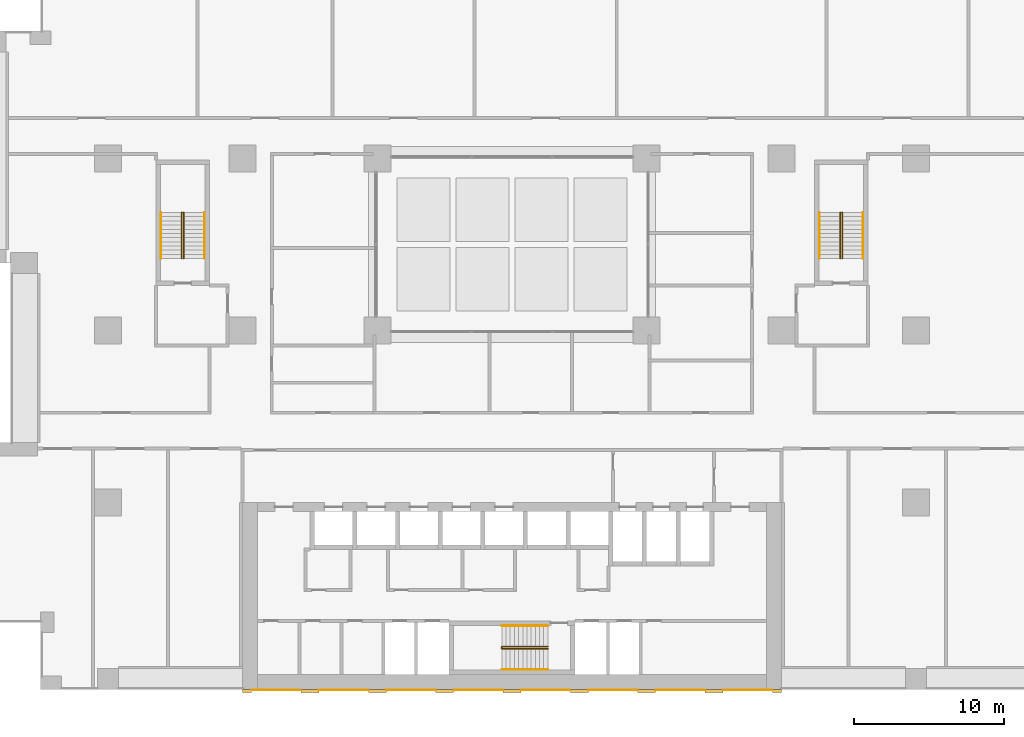
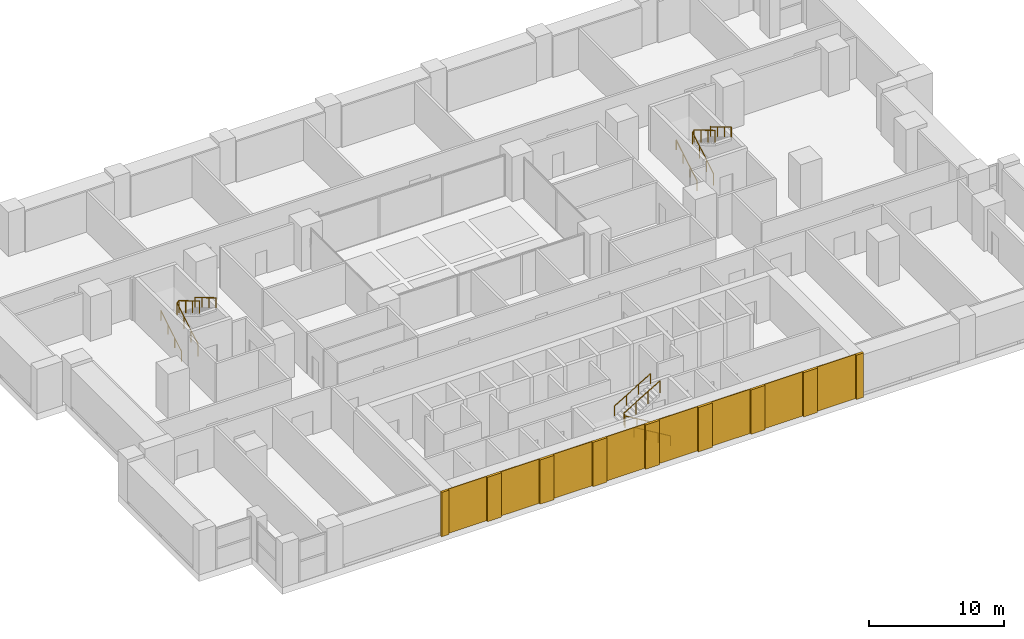
# One storey, part 24 of 24: 17 coverings, 9 railings.
"""IFC4 building model written with IfcOpenShell, lengths in metres."""

from ifc_helpers import new_model, si_unit, direction, frame, origin, origin_2d, place, context, subcontext, project, spatial, rectangle, circle, extrude, material, layer, layer_set, type_object, element, save


model = new_model("IFC4")

# Units and contexts
model_context = context("Model", 3, precision=1e-05, world=origin(), true_north=direction((0.0, 1.0)))
body_context = subcontext(model_context, "Body", "Model", "MODEL_VIEW")
ifc_project = project(units=[si_unit("LENGTHUNIT", "METRE"), si_unit("AREAUNIT", "SQUARE_METRE"), si_unit("VOLUMEUNIT", "CUBIC_METRE"), si_unit("PLANEANGLEUNIT", "RADIAN"), si_unit("MASSUNIT", "GRAM", prefix="KILO")], contexts=[model_context])

# Site, building, storey
site_placement = place(None, origin())
site = spatial("IfcSite", under=ifc_project, at=site_placement, CompositionType="ELEMENT")
building_placement = place(site_placement, origin())
building = spatial("IfcBuilding", under=site, at=building_placement, Name="Brigalow Station Residences", CompositionType="ELEMENT")
storey_placement = place(building_placement, frame((0.0, 0.0, 15.5)))
storey = spatial("IfcBuildingStorey", under=building, at=storey_placement, Name="L03", CompositionType="ELEMENT", Elevation=15.5)

# Coverings
ifc_material_1 = material(Name="Clay brick masonry", Category="masonry")
ifc_layer_1 = layer(ifc_material_1, 0.06005859375)
ifc_layer_set_1 = layer_set([ifc_layer_1], Name="BRICK PANEL FACING 60")
covering_type_1 = type_object("IfcCoveringType", Name="BRICK PANEL FACING 60", PredefinedType="CLADDING", material=ifc_layer_set_1)
for number, where, z_axis, x_axis, name in (
    (1, (20.25, -0.030029296875, 0.0), (0.0, 0.0, 1.0), (1.0, 0.0, 0.0), "L03/rear-facing/panel-1"),
    (2, (24.75, -0.030029296875, 0.0), (0.0, 0.0, 1.0), (1.0, 0.0, 0.0), "L03/rear-facing/panel-2"),
    (3, (29.25, -0.030029296875, 0.0), (0.0, 0.0, 1.0), (1.0, 0.0, 0.0), "L03/rear-facing/panel-3"),
    (4, (33.75, -0.030029296875, 0.0), (0.0, 0.0, 1.0), (1.0, 0.0, 0.0), "L03/rear-facing/panel-4"),
    (5, (38.25, -0.030029296875, 0.0), (0.0, 0.0, 1.0), (1.0, 0.0, 0.0), "L03/rear-facing/panel-5"),
    (6, (42.75, -0.030029296875, 0.0), (0.0, 0.0, 1.0), (1.0, 0.0, 0.0), "L03/rear-facing/panel-6"),
    (7, (47.25, -0.030029296875, 0.0), (0.0, 0.0, 1.0), (1.0, 0.0, 0.0), "L03/rear-facing/panel-7"),
    (8, (51.75, -0.030029296875, 0.0), (0.0, 0.0, 1.0), (1.0, 0.0, 0.0), "L03/rear-facing/panel-8"),
):
    element("IfcCovering", number, at=place(storey_placement, frame(where, z_axis=z_axis, x_axis=x_axis)), inside=storey, type_object=covering_type_1, Name=name, PredefinedType="CLADDING", context=body_context, shape_type="SweptSolid", body=[
        extrude(rectangle(XDim=3.300048828125, YDim=0.06005859375, at=origin_2d()), origin(), (0.0, 0.0, 1.0), 4.0),
    ])
ifc_material_2 = material(Name="Clay brick masonry", Category="masonry")
ifc_layer_2 = layer(ifc_material_2, 0.199951171875)
ifc_layer_set_2 = layer_set([ifc_layer_2], Name="BRICK PIER FACING 200")
covering_type_2 = type_object("IfcCoveringType", Name="BRICK PIER FACING 200", PredefinedType="CLADDING", material=ifc_layer_set_2)
covering_1_placement = place(storey_placement, frame((18.300048828125, -0.10009765625, 0.0), z_axis=(0.0, 0.0, 1.0), x_axis=(1.0, 0.0, 0.0)))
element("IfcCovering", 9, at=covering_1_placement, inside=storey, type_object=covering_type_2, Name="L03/rear-facing/pier-1", PredefinedType="CLADDING", context=body_context, shape_type="SweptSolid", body=[
    extrude(rectangle(XDim=0.60009765625, YDim=0.199951171875, at=origin_2d()), origin(), (0.0, 0.0, 1.0), 4.0),
])
for number, where, z_axis, x_axis, name in (
    (10, (22.5, -0.10009765625, 0.0), (0.0, 0.0, 1.0), (1.0, 0.0, 0.0), "L03/rear-facing/pier-2"),
    (11, (27.0, -0.10009765625, 0.0), (0.0, 0.0, 1.0), (1.0, 0.0, 0.0), "L03/rear-facing/pier-3"),
    (12, (31.5, -0.10009765625, 0.0), (0.0, 0.0, 1.0), (1.0, 0.0, 0.0), "L03/rear-facing/pier-4"),
    (13, (36.0, -0.10009765625, 0.0), (0.0, 0.0, 1.0), (1.0, 0.0, 0.0), "L03/rear-facing/pier-5"),
    (14, (40.5, -0.10009765625, 0.0), (0.0, 0.0, 1.0), (1.0, 0.0, 0.0), "L03/rear-facing/pier-6"),
    (15, (45.0, -0.10009765625, 0.0), (0.0, 0.0, 1.0), (1.0, 0.0, 0.0), "L03/rear-facing/pier-7"),
    (16, (49.5, -0.10009765625, 0.0), (0.0, 0.0, 1.0), (1.0, 0.0, 0.0), "L03/rear-facing/pier-8"),
):
    element("IfcCovering", number, at=place(storey_placement, frame(where, z_axis=z_axis, x_axis=x_axis)), inside=storey, type_object=covering_type_2, Name=name, PredefinedType="CLADDING", context=body_context, shape_type="SweptSolid", body=[
        extrude(rectangle(XDim=1.199951171875, YDim=0.199951171875, at=origin_2d()), origin(), (0.0, 0.0, 1.0), 4.0),
    ])
covering_2_placement = place(storey_placement, frame((53.699951171875, -0.10009765625, 0.0), z_axis=(0.0, 0.0, 1.0), x_axis=(1.0, 0.0, 0.0)))
element("IfcCovering", 17, at=covering_2_placement, inside=storey, type_object=covering_type_2, Name="L03/rear-facing/pier-9", PredefinedType="CLADDING", context=body_context, shape_type="SweptSolid", body=[
    extrude(rectangle(XDim=0.60009765625, YDim=0.199951171875, at=origin_2d()), origin(), (0.0, 0.0, 1.0), 4.0),
])

# Railings
ifc_material_3 = material(Name="Stainless steel balustrade", Category="steel")
railing_type_1 = type_object("IfcRailingType", Name="STAIR GUARD 1100", PredefinedType="GUARDRAIL", material=ifc_material_3)
railing_1_placement = place(storey_placement, frame((38.39990234375, 2.72998046875, 0.1669921875)))
element("IfcRailing", 18, at=railing_1_placement, inside=storey, type_object=railing_type_1, Name="GUARD GR-2", PredefinedType="GUARDRAIL", context=body_context, shape_type="SweptSolid", body=[
    extrude(circle(Radius=0.02392578125, at=origin_2d()), frame((0.0, 0.0, 1.076171875), z_axis=(-0.859320683888, 0.0, 0.511437153756), x_axis=(0.0, -1.0, 0.0)), (0.0, 0.0, 1.0), 3.583984375),
    extrude(circle(Radius=0.02392578125, at=origin_2d()), frame((-3.079833984375, 0.0, 2.9091796875), z_axis=(0.0, 0.642824314284, 0.766013642806), x_axis=(-1.0, 0.0, 0.0)), (0.0, 0.0, 1.0), 0.218017578125),
    extrude(circle(Radius=0.02392578125, at=origin_2d()), frame((-3.079833984375, 0.14013671875, 3.076171875), z_axis=(0.859320683888, 0.0, 0.511437153756), x_axis=(0.0, 1.0, 0.0)), (0.0, 0.0, 1.0), 3.583984375),
    extrude(circle(Radius=0.02099609375, at=origin_2d()), origin(), (0.0, 0.0, 1.0), 1.052001953125),
    extrude(circle(Radius=0.02099609375, at=origin_2d()), frame((-1.026611328125, 0.0, 0.611083984375)), (0.0, 0.0, 1.0), 1.052001953125),
    extrude(circle(Radius=0.02099609375, at=origin_2d()), frame((-2.05322265625, 0.0, 1.221923828125)), (0.0, 0.0, 1.0), 1.052001953125),
    extrude(circle(Radius=0.02099609375, at=origin_2d()), frame((-3.079833984375, 0.0, 1.8330078125)), (0.0, 0.0, 1.0), 1.052001953125),
    extrude(circle(Radius=0.02099609375, at=origin_2d()), frame((-3.079833984375, 0.14013671875, 2.0)), (0.0, 0.0, 1.0), 1.052001953125),
    extrude(circle(Radius=0.02099609375, at=origin_2d()), frame((-2.05322265625, 0.14013671875, 2.611083984375)), (0.0, 0.0, 1.0), 1.052001953125),
    extrude(circle(Radius=0.02099609375, at=origin_2d()), frame((-1.026611328125, 0.14013671875, 3.221923828125)), (0.0, 0.0, 1.0), 1.052001953125),
    extrude(circle(Radius=0.02099609375, at=origin_2d()), frame((0.0, 0.14013671875, 3.8330078125)), (0.0, 0.0, 1.0), 1.052001953125),
])
for number, where, name in (
    (19, (13.929931640625, 28.800048828125, 0.1669921875), "GUARD GR-1"),
    (20, (57.929931640625, 28.800048828125, 0.1669921875), "GUARD GR-3"),
):
    element("IfcRailing", number, at=place(storey_placement, frame(where)), inside=storey, type_object=railing_type_1, Name=name, PredefinedType="GUARDRAIL", context=body_context, shape_type="SweptSolid", body=[
        extrude(circle(Radius=0.02392578125, at=origin_2d()), frame((0.0, 0.0, 1.076171875), z_axis=(0.0, 0.859320683888, 0.511437153756), x_axis=(-1.0, 0.0, 0.0)), (0.0, 0.0, 1.0), 3.583984375),
        extrude(circle(Radius=0.02392578125, at=origin_2d()), frame((0.0, 3.079833984375, 2.9091796875), z_axis=(0.642824314284, 0.0, 0.766013642806), x_axis=(0.0, 1.0, 0.0)), (0.0, 0.0, 1.0), 0.218017578125),
        extrude(circle(Radius=0.02392578125, at=origin_2d()), frame((0.14013671875, 3.079833984375, 3.076171875), z_axis=(0.0, -0.859320683888, 0.511437153756), x_axis=(1.0, 0.0, 0.0)), (0.0, 0.0, 1.0), 3.583984375),
        extrude(circle(Radius=0.02099609375, at=origin_2d()), origin(), (0.0, 0.0, 1.0), 1.052001953125),
        extrude(circle(Radius=0.02099609375, at=origin_2d()), frame((0.0, 1.026611328125, 0.611083984375)), (0.0, 0.0, 1.0), 1.052001953125),
        extrude(circle(Radius=0.02099609375, at=origin_2d()), frame((0.0, 2.05322265625, 1.221923828125)), (0.0, 0.0, 1.0), 1.052001953125),
        extrude(circle(Radius=0.02099609375, at=origin_2d()), frame((0.0, 3.079833984375, 1.8330078125)), (0.0, 0.0, 1.0), 1.052001953125),
        extrude(circle(Radius=0.02099609375, at=origin_2d()), frame((0.14013671875, 3.079833984375, 2.0)), (0.0, 0.0, 1.0), 1.052001953125),
        extrude(circle(Radius=0.02099609375, at=origin_2d()), frame((0.14013671875, 2.05322265625, 2.611083984375)), (0.0, 0.0, 1.0), 1.052001953125),
        extrude(circle(Radius=0.02099609375, at=origin_2d()), frame((0.14013671875, 1.026611328125, 3.221923828125)), (0.0, 0.0, 1.0), 1.052001953125),
        extrude(circle(Radius=0.02099609375, at=origin_2d()), frame((0.14013671875, 0.0, 3.8330078125)), (0.0, 0.0, 1.0), 1.052001953125),
    ])
ifc_material_4 = material(Name="Stainless steel handrail", Category="steel")
railing_type_2 = type_object("IfcRailingType", Name="STAIR HANDRAIL 900", PredefinedType="HANDRAIL", material=ifc_material_4)
railing_2_placement = place(storey_placement, frame((38.39990234375, 1.340087890625, 0.1669921875)))
element("IfcRailing", 21, at=railing_2_placement, inside=storey, type_object=railing_type_2, Name="HANDRAIL HR-21", PredefinedType="HANDRAIL", context=body_context, shape_type="SweptSolid", body=[
    extrude(circle(Radius=0.02392578125, at=origin_2d()), frame((0.0, 0.0, 0.8759765625), z_axis=(-0.859320683888, 0.0, 0.511437153756), x_axis=(0.0, -1.0, 0.0)), (0.0, 0.0, 1.0), 3.583984375),
    extrude(circle(Radius=0.02099609375, at=origin_2d()), origin(), (0.0, 0.0, 1.0), 0.851806640625),
    extrude(circle(Radius=0.02099609375, at=origin_2d()), frame((-1.026611328125, 0.0, 0.611083984375)), (0.0, 0.0, 1.0), 0.851806640625),
    extrude(circle(Radius=0.02099609375, at=origin_2d()), frame((-2.05322265625, 0.0, 1.221923828125)), (0.0, 0.0, 1.0), 0.851806640625),
    extrude(circle(Radius=0.02099609375, at=origin_2d()), frame((-3.079833984375, 0.0, 1.8330078125)), (0.0, 0.0, 1.0), 0.851806640625),
])
railing_3_placement = place(storey_placement, frame((35.320068359375, 4.260009765625, 2.1669921875)))
element("IfcRailing", 22, at=railing_3_placement, inside=storey, type_object=railing_type_2, Name="HANDRAIL HR-22", PredefinedType="HANDRAIL", context=body_context, shape_type="SweptSolid", body=[
    extrude(circle(Radius=0.02392578125, at=origin_2d()), frame((0.0, 0.0, 0.8759765625), z_axis=(0.859320683888, 0.0, 0.511437153756), x_axis=(0.0, 1.0, 0.0)), (0.0, 0.0, 1.0), 3.583984375),
    extrude(circle(Radius=0.02099609375, at=origin_2d()), origin(), (0.0, 0.0, 1.0), 0.851806640625),
    extrude(circle(Radius=0.02099609375, at=origin_2d()), frame((1.026611328125, 0.0, 0.611083984375)), (0.0, 0.0, 1.0), 0.851806640625),
    extrude(circle(Radius=0.02099609375, at=origin_2d()), frame((2.05322265625, 0.0, 1.221923828125)), (0.0, 0.0, 1.0), 0.851806640625),
    extrude(circle(Radius=0.02099609375, at=origin_2d()), frame((3.079833984375, 0.0, 1.8330078125)), (0.0, 0.0, 1.0), 0.851806640625),
])
railing_4_placement = place(storey_placement, frame((12.5400390625, 28.800048828125, 0.1669921875)))
element("IfcRailing", 23, at=railing_4_placement, inside=storey, type_object=railing_type_2, Name="HANDRAIL HR-11", PredefinedType="HANDRAIL", context=body_context, shape_type="SweptSolid", body=[
    extrude(circle(Radius=0.02392578125, at=origin_2d()), frame((0.0, 0.0, 0.8759765625), z_axis=(0.0, 0.859320683888, 0.511437153756), x_axis=(-1.0, 0.0, 0.0)), (0.0, 0.0, 1.0), 3.583984375),
    extrude(circle(Radius=0.02099609375, at=origin_2d()), origin(), (0.0, 0.0, 1.0), 0.851806640625),
    extrude(circle(Radius=0.02099609375, at=origin_2d()), frame((0.0, 1.026611328125, 0.611083984375)), (0.0, 0.0, 1.0), 0.851806640625),
    extrude(circle(Radius=0.02099609375, at=origin_2d()), frame((0.0, 2.05322265625, 1.221923828125)), (0.0, 0.0, 1.0), 0.851806640625),
    extrude(circle(Radius=0.02099609375, at=origin_2d()), frame((0.0, 3.079833984375, 1.8330078125)), (0.0, 0.0, 1.0), 0.851806640625),
])
railing_5_placement = place(storey_placement, frame((15.4599609375, 31.8798828125, 2.1669921875)))
element("IfcRailing", 24, at=railing_5_placement, inside=storey, type_object=railing_type_2, Name="HANDRAIL HR-12", PredefinedType="HANDRAIL", context=body_context, shape_type="SweptSolid", body=[
    extrude(circle(Radius=0.02392578125, at=origin_2d()), frame((0.0, 0.0, 0.8759765625), z_axis=(0.0, -0.859320683888, 0.511437153756), x_axis=(1.0, 0.0, 0.0)), (0.0, 0.0, 1.0), 3.583984375),
    extrude(circle(Radius=0.02099609375, at=origin_2d()), origin(), (0.0, 0.0, 1.0), 0.851806640625),
    extrude(circle(Radius=0.02099609375, at=origin_2d()), frame((0.0, -1.026611328125, 0.611083984375)), (0.0, 0.0, 1.0), 0.851806640625),
    extrude(circle(Radius=0.02099609375, at=origin_2d()), frame((0.0, -2.05322265625, 1.221923828125)), (0.0, 0.0, 1.0), 0.851806640625),
    extrude(circle(Radius=0.02099609375, at=origin_2d()), frame((0.0, -3.079833984375, 1.8330078125)), (0.0, 0.0, 1.0), 0.851806640625),
])
railing_6_placement = place(storey_placement, frame((56.5400390625, 28.800048828125, 0.1669921875)))
element("IfcRailing", 25, at=railing_6_placement, inside=storey, type_object=railing_type_2, Name="HANDRAIL HR-31", PredefinedType="HANDRAIL", context=body_context, shape_type="SweptSolid", body=[
    extrude(circle(Radius=0.02392578125, at=origin_2d()), frame((0.0, 0.0, 0.8759765625), z_axis=(0.0, 0.859320683888, 0.511437153756), x_axis=(-1.0, 0.0, 0.0)), (0.0, 0.0, 1.0), 3.583984375),
    extrude(circle(Radius=0.02099609375, at=origin_2d()), origin(), (0.0, 0.0, 1.0), 0.851806640625),
    extrude(circle(Radius=0.02099609375, at=origin_2d()), frame((0.0, 1.026611328125, 0.611083984375)), (0.0, 0.0, 1.0), 0.851806640625),
    extrude(circle(Radius=0.02099609375, at=origin_2d()), frame((0.0, 2.05322265625, 1.221923828125)), (0.0, 0.0, 1.0), 0.851806640625),
    extrude(circle(Radius=0.02099609375, at=origin_2d()), frame((0.0, 3.079833984375, 1.8330078125)), (0.0, 0.0, 1.0), 0.851806640625),
])
railing_7_placement = place(storey_placement, frame((59.4599609375, 31.8798828125, 2.1669921875)))
element("IfcRailing", 26, at=railing_7_placement, inside=storey, type_object=railing_type_2, Name="HANDRAIL HR-32", PredefinedType="HANDRAIL", context=body_context, shape_type="SweptSolid", body=[
    extrude(circle(Radius=0.02392578125, at=origin_2d()), frame((0.0, 0.0, 0.8759765625), z_axis=(0.0, -0.859320683888, 0.511437153756), x_axis=(1.0, 0.0, 0.0)), (0.0, 0.0, 1.0), 3.583984375),
    extrude(circle(Radius=0.02099609375, at=origin_2d()), origin(), (0.0, 0.0, 1.0), 0.851806640625),
    extrude(circle(Radius=0.02099609375, at=origin_2d()), frame((0.0, -1.026611328125, 0.611083984375)), (0.0, 0.0, 1.0), 0.851806640625),
    extrude(circle(Radius=0.02099609375, at=origin_2d()), frame((0.0, -2.05322265625, 1.221923828125)), (0.0, 0.0, 1.0), 0.851806640625),
    extrude(circle(Radius=0.02099609375, at=origin_2d()), frame((0.0, -3.079833984375, 1.8330078125)), (0.0, 0.0, 1.0), 0.851806640625),
])

save(model, "model.ifc")
